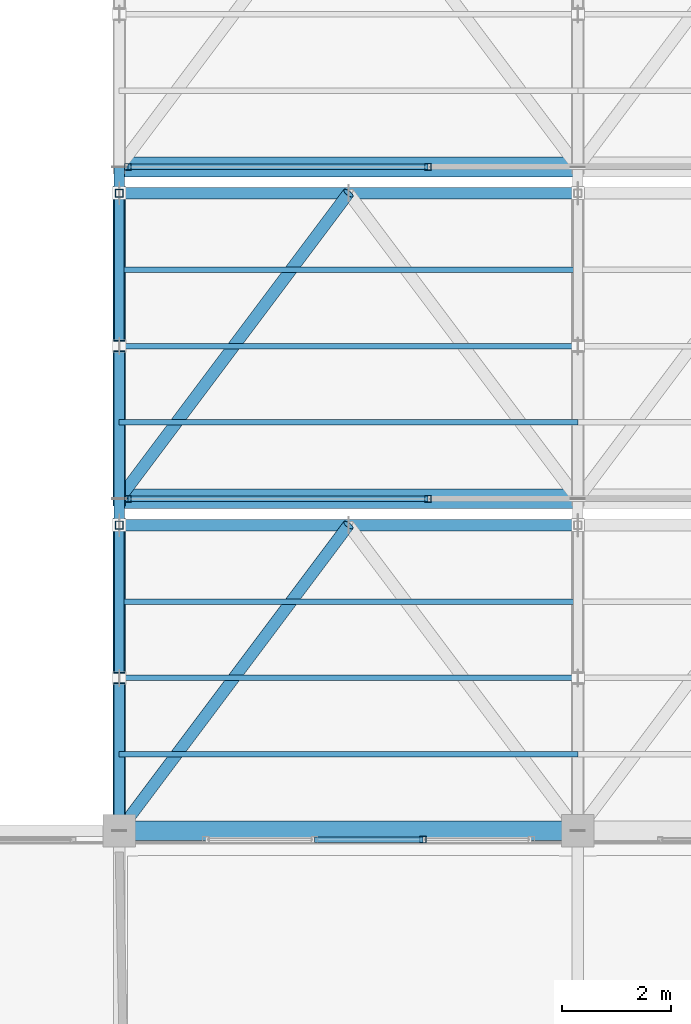
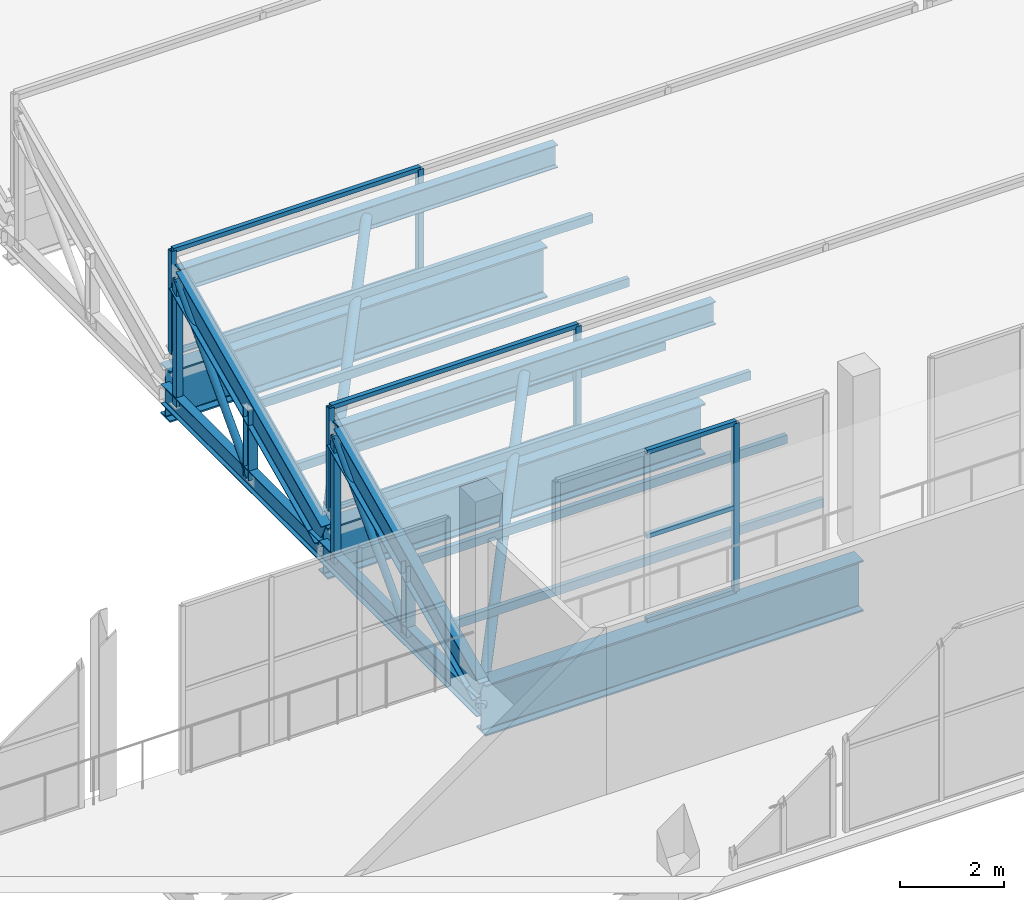
# One storey, part 66 of 217: 32 members, 3 beams, 3 elements without a shape of their own.
"""IFC4 building model written with IfcOpenShell, lengths in metres."""

from ifc_helpers import new_model, si_unit, direction, frame, origin, origin_2d, place, context, subcontext, project, spatial, hollow_rectangle, hollow_circle, i_section, extrude, material, material_profile, profile_set, type_object, element, aggregate, save


model = new_model("IFC4")

# Units and contexts
model_context = context("Model", 3, precision=1e-05, world=origin(), true_north=direction((0.0, 1.0)))
body_context = subcontext(model_context, "Body", "Model", "MODEL_VIEW")
ifc_project = project(units=[si_unit("LENGTHUNIT", "METRE"), si_unit("AREAUNIT", "SQUARE_METRE"), si_unit("VOLUMEUNIT", "CUBIC_METRE"), si_unit("PLANEANGLEUNIT", "RADIAN"), si_unit("MASSUNIT", "GRAM", prefix="KILO")], contexts=[model_context])

# Site, building, storey
site_placement = place(None, origin())
site = spatial("IfcSite", under=ifc_project, at=site_placement, CompositionType="ELEMENT")
building_placement = place(site_placement, origin())
building = spatial("IfcBuilding", under=site, at=building_placement, Name="Zuvorla Pavilion Media Centre", CompositionType="ELEMENT")
storey_placement = place(building_placement, frame((0.0, 0.0, 9.60009765625)))
storey = spatial("IfcBuildingStorey", under=building, at=storey_placement, Name="L02", CompositionType="ELEMENT", Elevation=9.60009765625)

# Beams
ifc_material_1 = material(Name="Steel S355", Category="steel")
ifc_material_profile_1 = material_profile(ifc_material_1, i_section(OverallWidth=0.360107421875, OverallDepth=1.199951171875, WebThickness=0.02001953125, FlangeThickness=0.0380859375, FilletRadius=0.02392578125, at=origin_2d()), Name="PG 1200x360x38")
ifc_profile_set_1 = profile_set([ifc_material_profile_1], Name="Steel S355")
beam_type = type_object("IfcBeamType", Name="BM-PG1200", PredefinedType="BEAM", material=ifc_profile_set_1)
for number, where, z_axis, x_axis, name in (
    (1, (66.800048828125, 89.60009765625, -0.88818359375), (1.0, 0.0, 0.0), (0.0, 1.0, 0.0), "L02 beam B01 1779"),
    (2, (66.800048828125, 95.679931640625, -0.88818359375), (1.0, 0.0, 0.0), (0.0, 1.0, 0.0), "L02 beam B01 1784"),
    (3, (66.800048828125, 101.760009765625, -0.88818359375), (1.0, 0.0, 0.0), (0.0, 1.0, 0.0), "L02 beam B01 1790"),
):
    element("IfcBeam", number, at=place(storey_placement, frame(where, z_axis=z_axis, x_axis=x_axis)), inside=storey, type_object=beam_type, Name=name, PredefinedType="BEAM", context=body_context, shape_type="SweptSolid", body=[
        extrude(i_section(OverallWidth=0.360107421875, OverallDepth=1.199951171875, WebThickness=0.02001953125, FlangeThickness=0.0380859375, FilletRadius=0.02392578125, at=origin_2d()), origin(), (0.0, 0.0, 1.0), 8.39990234375),
    ])

# Curtain wall, member
ifc_material_2 = material(Name="Unitised anodised aluminium and solar glass curtain wall", Category="aluminium")
curtain_wall_type_1 = type_object("IfcCurtainWallType", Name="CW-SYS-16", PredefinedType="USERDEFINED", material=ifc_material_2)
curtain_wall_1_placement = place(storey_placement, origin())
curtain_wall_1 = element("IfcCurtainWall", 4, at=curtain_wall_1_placement, inside=storey, type_object=curtain_wall_type_1, Name="L02 curtain wall CW16 21", ObjectType="CURTAIN WALL", PredefinedType="USERDEFINED")
ifc_material_3 = material(Name="Anodised aluminium 6063-T6", Category="aluminium")
ifc_material_profile_2 = material_profile(ifc_material_3, hollow_rectangle(XDim=0.1201171875, YDim=0.1201171875, WallThickness=0.0048828125, at=origin_2d()), Name="ALU MULL 120x120")
ifc_profile_set_2 = profile_set([ifc_material_profile_2], Name="Anodised aluminium 6063-T6")
member_type_1 = type_object("IfcMemberType", Name="CW-MULL-120", PredefinedType="MULLION", material=ifc_profile_set_2)
member_1_placement = place(storey_placement, frame((72.361572265625, 89.43994140625, 0.0), z_axis=(0.0, 0.0, 1.0), x_axis=(1.0, 0.0, 0.0)))
member_1 = element("IfcMember", 5, at=member_1_placement, type_object=member_type_1, Name="CW16 mullion 2", PredefinedType="MULLION", context=body_context, shape_type="SweptSolid", body=[
    extrude(hollow_rectangle(XDim=0.1201171875, YDim=0.1201171875, WallThickness=0.0048828125, at=origin_2d()), origin(), (0.0, 0.0, 1.0), 3.949951171875),
])

# Curtain wall, members
curtain_wall_type_2 = type_object("IfcCurtainWallType", Name="CW-SYS-88", PredefinedType="USERDEFINED", material=ifc_material_2)
curtain_wall_2_placement = place(storey_placement, origin())
curtain_wall_2 = element("IfcCurtainWall", 6, at=curtain_wall_2_placement, inside=storey, type_object=curtain_wall_type_2, Name="L02 curtain wall CW88 200", ObjectType="CURTAIN WALL", PredefinedType="USERDEFINED")
member_2_placement = place(storey_placement, frame((66.9599609375, 95.679931640625, 0.0), z_axis=(0.0, 0.0, 1.0), x_axis=(1.0, 0.0, 0.0)))
member_2 = element("IfcMember", 7, at=member_2_placement, type_object=member_type_1, Name="CW88 mullion 1", PredefinedType="MULLION", context=body_context, shape_type="SweptSolid", body=[
    extrude(hollow_rectangle(XDim=0.1201171875, YDim=0.1201171875, WallThickness=0.0048828125, at=origin_2d()), origin(), (0.0, 0.0, 1.0), 2.419921875),
])
member_3_placement = place(storey_placement, frame((72.453369140625, 95.679931640625, 0.0), z_axis=(0.0, 0.0, 1.0), x_axis=(1.0, 0.0, 0.0)))
member_3 = element("IfcMember", 8, at=member_3_placement, type_object=member_type_1, Name="CW88 mullion 2", PredefinedType="MULLION", context=body_context, shape_type="SweptSolid", body=[
    extrude(hollow_rectangle(XDim=0.1201171875, YDim=0.1201171875, WallThickness=0.0048828125, at=origin_2d()), origin(), (0.0, 0.0, 1.0), 2.419921875),
])

curtain_wall_3_placement = place(storey_placement, origin())
curtain_wall_3 = element("IfcCurtainWall", 9, at=curtain_wall_3_placement, inside=storey, type_object=curtain_wall_type_2, Name="L02 curtain wall CW88 204", ObjectType="CURTAIN WALL", PredefinedType="USERDEFINED")
member_4_placement = place(storey_placement, frame((66.9599609375, 101.760009765625, 0.0), z_axis=(0.0, 0.0, 1.0), x_axis=(1.0, 0.0, 0.0)))
member_4 = element("IfcMember", 10, at=member_4_placement, type_object=member_type_1, Name="CW88 mullion 1", PredefinedType="MULLION", context=body_context, shape_type="SweptSolid", body=[
    extrude(hollow_rectangle(XDim=0.1201171875, YDim=0.1201171875, WallThickness=0.0048828125, at=origin_2d()), origin(), (0.0, 0.0, 1.0), 2.419921875),
])
member_5_placement = place(storey_placement, frame((72.453369140625, 101.760009765625, 0.0), z_axis=(0.0, 0.0, 1.0), x_axis=(1.0, 0.0, 0.0)))
member_5 = element("IfcMember", 11, at=member_5_placement, type_object=member_type_1, Name="CW88 mullion 2", PredefinedType="MULLION", context=body_context, shape_type="SweptSolid", body=[
    extrude(hollow_rectangle(XDim=0.1201171875, YDim=0.1201171875, WallThickness=0.0048828125, at=origin_2d()), origin(), (0.0, 0.0, 1.0), 2.419921875),
])

# Member
ifc_material_profile_3 = material_profile(ifc_material_3, hollow_rectangle(XDim=0.10009765625, YDim=0.10009765625, WallThickness=0.00439453125, at=origin_2d()), Name="ALU TRAN 100x100")
ifc_profile_set_3 = profile_set([ifc_material_profile_3], Name="Anodised aluminium 6063-T6")
member_type_2 = type_object("IfcMemberType", Name="CW-TRAN-100", PredefinedType="USERDEFINED", material=ifc_profile_set_3)
member_6_placement = place(storey_placement, frame((72.361572265625, 89.43994140625, 0.0), z_axis=(-1.0, 0.0, 0.0), x_axis=(0.0, -1.0, 0.0)))
member_6 = element("IfcMember", 12, at=member_6_placement, type_object=member_type_2, Name="CW16 transom 2.1", ObjectType="TRANSOM", PredefinedType="USERDEFINED", context=body_context, shape_type="SweptSolid", body=[
    extrude(hollow_rectangle(XDim=0.10009765625, YDim=0.10009765625, WallThickness=0.00439453125, at=origin_2d()), origin(), (0.0, 0.0, 1.0), 1.98828125),
])

member_7_placement = place(storey_placement, frame((72.361572265625, 89.43994140625, 1.974853515625), z_axis=(-1.0, 0.0, 0.0), x_axis=(0.0, -1.0, 0.0)))
member_7 = element("IfcMember", 13, at=member_7_placement, type_object=member_type_2, Name="CW16 transom 2.2", ObjectType="TRANSOM", PredefinedType="USERDEFINED", context=body_context, shape_type="SweptSolid", body=[
    extrude(hollow_rectangle(XDim=0.10009765625, YDim=0.10009765625, WallThickness=0.00439453125, at=origin_2d()), origin(), (0.0, 0.0, 1.0), 1.98828125),
])

member_8_placement = place(storey_placement, frame((72.361572265625, 89.43994140625, 3.949951171875), z_axis=(-1.0, 0.0, 0.0), x_axis=(0.0, -1.0, 0.0)))
member_8 = element("IfcMember", 14, at=member_8_placement, type_object=member_type_2, Name="CW16 transom 2.3", ObjectType="TRANSOM", PredefinedType="USERDEFINED", context=body_context, shape_type="SweptSolid", body=[
    extrude(hollow_rectangle(XDim=0.10009765625, YDim=0.10009765625, WallThickness=0.00439453125, at=origin_2d()), origin(), (0.0, 0.0, 1.0), 1.98828125),
])

aggregate(curtain_wall_1, [member_1, member_6, member_7, member_8])

member_9_placement = place(storey_placement, frame((66.9599609375, 95.679931640625, 0.0), z_axis=(1.0, 0.0, 0.0), x_axis=(0.0, 1.0, 0.0)))
member_9 = element("IfcMember", 15, at=member_9_placement, type_object=member_type_2, Name="CW88 transom 1.1", ObjectType="TRANSOM", PredefinedType="USERDEFINED", context=body_context, shape_type="SweptSolid", body=[
    extrude(hollow_rectangle(XDim=0.10009765625, YDim=0.10009765625, WallThickness=0.00439453125, at=origin_2d()), origin(), (0.0, 0.0, 1.0), 5.493408203125),
])

member_10_placement = place(storey_placement, frame((66.9599609375, 95.679931640625, 2.419921875), z_axis=(1.0, 0.0, 0.0), x_axis=(0.0, 1.0, 0.0)))
member_10 = element("IfcMember", 16, at=member_10_placement, type_object=member_type_2, Name="CW88 transom 1.2", ObjectType="TRANSOM", PredefinedType="USERDEFINED", context=body_context, shape_type="SweptSolid", body=[
    extrude(hollow_rectangle(XDim=0.10009765625, YDim=0.10009765625, WallThickness=0.00439453125, at=origin_2d()), origin(), (0.0, 0.0, 1.0), 5.493408203125),
])

aggregate(curtain_wall_2, [member_2, member_3, member_9, member_10])

member_11_placement = place(storey_placement, frame((66.9599609375, 101.760009765625, 0.0), z_axis=(1.0, 0.0, 0.0), x_axis=(0.0, 1.0, 0.0)))
member_11 = element("IfcMember", 17, at=member_11_placement, type_object=member_type_2, Name="CW88 transom 1.1", ObjectType="TRANSOM", PredefinedType="USERDEFINED", context=body_context, shape_type="SweptSolid", body=[
    extrude(hollow_rectangle(XDim=0.10009765625, YDim=0.10009765625, WallThickness=0.00439453125, at=origin_2d()), origin(), (0.0, 0.0, 1.0), 5.493408203125),
])

member_12_placement = place(storey_placement, frame((66.9599609375, 101.760009765625, 2.419921875), z_axis=(1.0, 0.0, 0.0), x_axis=(0.0, 1.0, 0.0)))
member_12 = element("IfcMember", 18, at=member_12_placement, type_object=member_type_2, Name="CW88 transom 1.2", ObjectType="TRANSOM", PredefinedType="USERDEFINED", context=body_context, shape_type="SweptSolid", body=[
    extrude(hollow_rectangle(XDim=0.10009765625, YDim=0.10009765625, WallThickness=0.00439453125, at=origin_2d()), origin(), (0.0, 0.0, 1.0), 5.493408203125),
])

aggregate(curtain_wall_3, [member_4, member_5, member_11, member_12])

# Members
ifc_material_profile_4 = material_profile(ifc_material_1, hollow_circle(Radius=0.084228515625, WallThickness=0.008056640625, at=origin_2d()), Name="CHS 168.3x8")
ifc_profile_set_4 = profile_set([ifc_material_profile_4], Name="Steel S355")
member_type_3 = type_object("IfcMemberType", Name="MEM-BRC-CHS168", PredefinedType="BRACE", material=ifc_profile_set_4)
for number, where, z_axis, x_axis, name in (
    (19, (66.800048828125, 92.39990234375, -0.880126953125), (0.0, 0.68676242614, 0.726881950555), (-1.0, 0.0, 0.0), "L02 diagonal brace TB03 36"),
    (20, (66.800048828125, 98.47998046875, -0.880126953125), (0.0, 0.68676242614, 0.726881950555), (-1.0, 0.0, 0.0), "L02 diagonal brace TB03 129"),
):
    element("IfcMember", number, at=place(storey_placement, frame(where, z_axis=z_axis, x_axis=x_axis)), inside=storey, type_object=member_type_3, Name=name, PredefinedType="BRACE", context=body_context, shape_type="SweptSolid", body=[
        extrude(hollow_circle(Radius=0.084228515625, WallThickness=0.008056640625, at=origin_2d()), origin(), (0.0, 0.0, 1.0), 4.0771484375),
    ])
ifc_material_profile_5 = material_profile(ifc_material_1, hollow_circle(Radius=0.109619140625, WallThickness=0.010009765625, at=origin_2d()), Name="CHS 219.1x10")
ifc_profile_set_5 = profile_set([ifc_material_profile_5], Name="Steel S355")
member_type_4 = type_object("IfcMemberType", Name="MEM-BRC-CHS219", PredefinedType="BRACE", material=ifc_profile_set_5)
member_13_placement = place(storey_placement, frame((66.800048828125, 89.60009765625, -0.880126953125), z_axis=(0.552524670006, 0.736688854033, 0.389879495972), x_axis=(-0.799995814625, 0.600005580459, 0.0)))
element("IfcMember", 21, at=member_13_placement, inside=storey, type_object=member_type_4, Name="L02 diagonal brace TB02 79", PredefinedType="BRACE", context=body_context, shape_type="SweptSolid", body=[
    extrude(hollow_circle(Radius=0.109619140625, WallThickness=0.010009765625, at=origin_2d()), origin(), (0.0, 0.0, 1.0), 7.601318359375),
])
member_14_placement = place(storey_placement, frame((66.800048828125, 95.679931640625, -0.880126953125), z_axis=(0.552511596944, 0.736703540702, 0.389870271191), x_axis=(-0.800008370399, 0.599988839305, 0.0)))
element("IfcMember", 22, at=member_14_placement, inside=storey, type_object=member_type_4, Name="L02 diagonal brace TB02 172", PredefinedType="BRACE", context=body_context, shape_type="SweptSolid", body=[
    extrude(hollow_circle(Radius=0.109619140625, WallThickness=0.010009765625, at=origin_2d()), origin(), (0.0, 0.0, 1.0), 7.6015625),
])
ifc_material_profile_6 = material_profile(ifc_material_1, i_section(OverallWidth=0.19140625, OverallDepth=0.4599609375, WebThickness=0.010009765625, FlangeThickness=0.01611328125, FilletRadius=0.01025390625, at=origin_2d()), Name="UB 457x191x82")
ifc_profile_set_6 = profile_set([ifc_material_profile_6], Name="Steel S355")
member_type_5 = type_object("IfcMemberType", Name="MEM-CHD-UB457", PredefinedType="CHORD", material=ifc_profile_set_6)
member_15_placement = place(storey_placement, frame((66.800048828125, 89.60009765625, -0.880126953125), z_axis=(0.0, 1.0, 0.0), x_axis=(-1.0, 0.0, 0.0)))
element("IfcMember", 23, at=member_15_placement, inside=storey, type_object=member_type_5, Name="L02 chord TC03 33", PredefinedType="CHORD", context=body_context, shape_type="SweptSolid", body=[
    extrude(i_section(OverallWidth=0.19140625, OverallDepth=0.4599609375, WebThickness=0.010009765625, FlangeThickness=0.01611328125, FilletRadius=0.01025390625, at=origin_2d()), origin(), (0.0, 0.0, 1.0), 6.079833984375),
])
member_16_placement = place(storey_placement, frame((66.800048828125, 95.679931640625, -0.880126953125), z_axis=(0.0, 1.0, 0.0), x_axis=(-1.0, 0.0, 0.0)))
element("IfcMember", 24, at=member_16_placement, inside=storey, type_object=member_type_5, Name="L02 chord TC03 126", PredefinedType="CHORD", context=body_context, shape_type="SweptSolid", body=[
    extrude(i_section(OverallWidth=0.19140625, OverallDepth=0.4599609375, WebThickness=0.010009765625, FlangeThickness=0.01611328125, FilletRadius=0.01025390625, at=origin_2d()), origin(), (0.0, 0.0, 1.0), 6.080078125),
])
ifc_material_profile_7 = material_profile(ifc_material_1, i_section(OverallWidth=0.2099609375, OverallDepth=0.53662109375, WebThickness=0.0107421875, FlangeThickness=0.017333984375, FilletRadius=0.0126953125, at=origin_2d()), Name="UB 533x210x101")
ifc_profile_set_7 = profile_set([ifc_material_profile_7], Name="Steel S355")
member_type_6 = type_object("IfcMemberType", Name="MEM-CHD-UB533", PredefinedType="CHORD", material=ifc_profile_set_7)
for number, where, z_axis, x_axis, name in (
    (25, (66.800048828125, 95.199951171875, 2.08349609375), (1.0, 0.0, 0.0), (0.0, 1.0, 0.0), "L02 chord TC02 78"),
    (26, (66.800048828125, 101.280029296875, 2.08349609375), (1.0, 0.0, 0.0), (0.0, 1.0, 0.0), "L02 chord TC02 171"),
):
    element("IfcMember", number, at=place(storey_placement, frame(where, z_axis=z_axis, x_axis=x_axis)), inside=storey, type_object=member_type_6, Name=name, PredefinedType="CHORD", context=body_context, shape_type="SweptSolid", body=[
        extrude(i_section(OverallWidth=0.2099609375, OverallDepth=0.53662109375, WebThickness=0.0107421875, FlangeThickness=0.017333984375, FilletRadius=0.0126953125, at=origin_2d()), origin(), (0.0, 0.0, 1.0), 8.39990234375),
    ])
ifc_material_profile_8 = material_profile(ifc_material_1, i_section(OverallWidth=0.22900390625, OverallDepth=0.6123046875, WebThickness=0.011962890625, FlangeThickness=0.01953125, FilletRadius=0.0126953125, at=origin_2d()), Name="UB 610x229x125")
ifc_profile_set_8 = profile_set([ifc_material_profile_8], Name="Steel S355")
member_type_7 = type_object("IfcMemberType", Name="MEM-CHD-UB610", PredefinedType="CHORD", material=ifc_profile_set_8)
member_17_placement = place(storey_placement, frame((66.800048828125, 89.60009765625, -0.5166015625), z_axis=(0.0, 0.906998718654, 0.421133380724), x_axis=(-1.0, 0.0, 0.0)))
element("IfcMember", 27, at=member_17_placement, inside=storey, type_object=member_type_7, Name="L02 chord TC01 34", PredefinedType="CHORD", context=body_context, shape_type="SweptSolid", body=[
    extrude(i_section(OverallWidth=0.22900390625, OverallDepth=0.6123046875, WebThickness=0.011962890625, FlangeThickness=0.01953125, FilletRadius=0.0126953125, at=origin_2d()), origin(), (0.0, 0.0, 1.0), 6.174072265625),
])
member_18_placement = place(storey_placement, frame((66.800048828125, 95.679931640625, -0.5166015625), z_axis=(0.0, 0.907005731366, 0.421118277053), x_axis=(-1.0, 0.0, 0.0)))
element("IfcMember", 28, at=member_18_placement, inside=storey, type_object=member_type_7, Name="L02 chord TC01 127", PredefinedType="CHORD", context=body_context, shape_type="SweptSolid", body=[
    extrude(i_section(OverallWidth=0.22900390625, OverallDepth=0.6123046875, WebThickness=0.011962890625, FlangeThickness=0.01953125, FilletRadius=0.0126953125, at=origin_2d()), origin(), (0.0, 0.0, 1.0), 6.17431640625),
])
ifc_material_profile_9 = material_profile(ifc_material_1, hollow_rectangle(XDim=0.10009765625, YDim=0.199951171875, WallThickness=0.008056640625, at=origin_2d()), Name="RHS 200x100x8")
ifc_profile_set_9 = profile_set([ifc_material_profile_9], Name="Steel S355")
member_type_8 = type_object("IfcMemberType", Name="MEM-PUR-RHS200", PredefinedType="PURLIN", material=ifc_profile_set_9)
for number, where, z_axis, x_axis, name in (
    (29, (66.800048828125, 91.0, 0.133544921875), (1.0, 0.0, 0.0), (0.0, 1.0, 0.0), "L02 purlin PR01 81"),
    (30, (66.800048828125, 92.39990234375, 0.783447265625), (1.0, 0.0, 0.0), (0.0, 1.0, 0.0), "L02 purlin PR01 82"),
    (31, (66.800048828125, 93.800048828125, 1.43359375), (1.0, 0.0, 0.0), (0.0, 1.0, 0.0), "L02 purlin PR01 83"),
    (32, (66.800048828125, 97.080078125, 0.133544921875), (1.0, 0.0, 0.0), (0.0, 1.0, 0.0), "L02 purlin PR01 174"),
    (33, (66.800048828125, 98.47998046875, 0.783447265625), (1.0, 0.0, 0.0), (0.0, 1.0, 0.0), "L02 purlin PR01 175"),
    (34, (66.800048828125, 99.8798828125, 1.43359375), (1.0, 0.0, 0.0), (0.0, 1.0, 0.0), "L02 purlin PR01 176"),
):
    element("IfcMember", number, at=place(storey_placement, frame(where, z_axis=z_axis, x_axis=x_axis)), inside=storey, type_object=member_type_8, Name=name, PredefinedType="PURLIN", context=body_context, shape_type="SweptSolid", body=[
        extrude(hollow_rectangle(XDim=0.10009765625, YDim=0.199951171875, WallThickness=0.008056640625, at=origin_2d()), origin(), (0.0, 0.0, 1.0), 8.39990234375),
    ])
ifc_material_profile_10 = material_profile(ifc_material_1, hollow_rectangle(XDim=0.14990234375, YDim=0.14990234375, WallThickness=0.008056640625, at=origin_2d()), Name="SHS 150x150x8")
ifc_profile_set_10 = profile_set([ifc_material_profile_10], Name="Steel S355")
member_type_9 = type_object("IfcMemberType", Name="MEM-STR-SHS150", PredefinedType="STRUT", material=ifc_profile_set_10)
for number, where, z_axis, x_axis, name in (
    (35, (66.800048828125, 95.199951171875, -0.880126953125), (0.0, 0.0, 1.0), (1.0, 0.0, 0.0), "L02 vertical strut TS01 35"),
    (36, (66.800048828125, 101.280029296875, -0.880126953125), (0.0, 0.0, 1.0), (1.0, 0.0, 0.0), "L02 vertical strut TS01 128"),
):
    element("IfcMember", number, at=place(storey_placement, frame(where, z_axis=z_axis, x_axis=x_axis)), inside=storey, type_object=member_type_9, Name=name, PredefinedType="STRUT", context=body_context, shape_type="SweptSolid", body=[
        extrude(hollow_rectangle(XDim=0.14990234375, YDim=0.14990234375, WallThickness=0.008056640625, at=origin_2d()), origin(), (0.0, 0.0, 1.0), 2.963623046875),
    ])
ifc_material_profile_11 = material_profile(ifc_material_1, i_section(OverallWidth=0.205810546875, OverallDepth=0.209716796875, WebThickness=0.009521484375, FlangeThickness=0.01416015625, FilletRadius=0.01025390625, at=origin_2d()), Name="UC 203x203x60")
ifc_profile_set_11 = profile_set([ifc_material_profile_11], Name="Steel S355")
member_type_10 = type_object("IfcMemberType", Name="MEM-STR-UC203", PredefinedType="STRUT", material=ifc_profile_set_11)
for number, where, z_axis, x_axis, name in (
    (37, (66.800048828125, 92.39990234375, -0.880126953125), (0.0, 0.0, 1.0), (1.0, 0.0, 0.0), "L02 vertical strut TS02 37"),
    (38, (66.800048828125, 98.47998046875, -0.880126953125), (0.0, 0.0, 1.0), (1.0, 0.0, 0.0), "L02 vertical strut TS02 130"),
):
    element("IfcMember", number, at=place(storey_placement, frame(where, z_axis=z_axis, x_axis=x_axis)), inside=storey, type_object=member_type_10, Name=name, PredefinedType="STRUT", context=body_context, shape_type="SweptSolid", body=[
        extrude(i_section(OverallWidth=0.205810546875, OverallDepth=0.209716796875, WebThickness=0.009521484375, FlangeThickness=0.01416015625, FilletRadius=0.01025390625, at=origin_2d()), origin(), (0.0, 0.0, 1.0), 1.66357421875),
    ])

save(model, "model.ifc")
